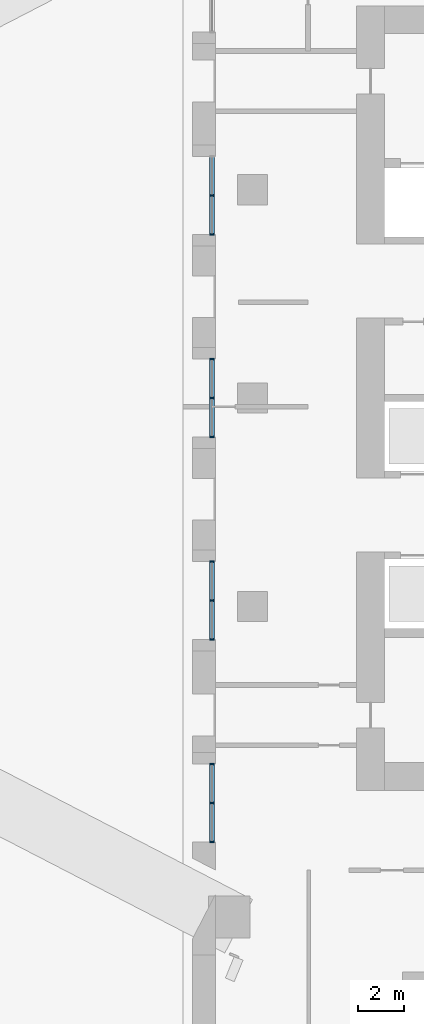
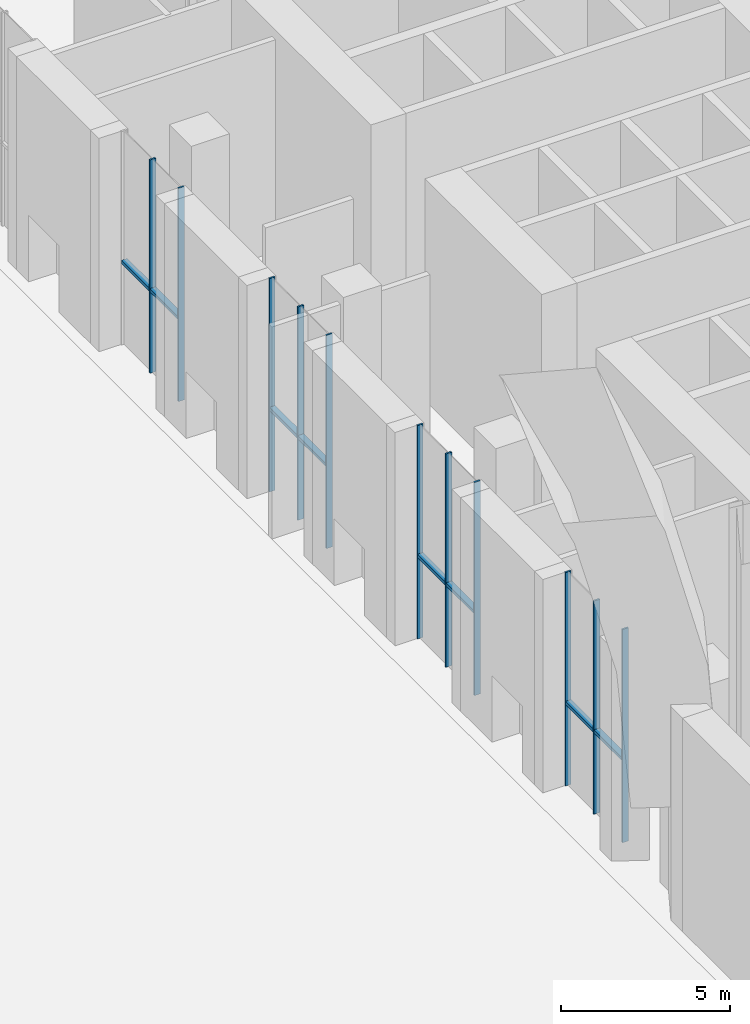
# One storey, part 4 of 22: 19 members, 4 elements without a shape of their own.
"""IFC4 building model written with IfcOpenShell, lengths in metres."""

from ifc_helpers import new_model, si_unit, direction, frame, origin, origin_2d, place, context, subcontext, project, spatial, rectangle, extrude, material, layer, layer_set, material_profile, profile_set, type_object, element, aggregate, save


model = new_model("IFC4")

# Units and contexts
model_context = context("Model", 3, precision=1e-05, world=origin(), true_north=direction((0.0, 1.0)))
body_context = subcontext(model_context, "Body", "Model", "MODEL_VIEW")
ifc_project = project(units=[si_unit("LENGTHUNIT", "METRE"), si_unit("AREAUNIT", "SQUARE_METRE"), si_unit("VOLUMEUNIT", "CUBIC_METRE"), si_unit("PLANEANGLEUNIT", "RADIAN"), si_unit("MASSUNIT", "GRAM", prefix="KILO")], contexts=[model_context])

# Site, building, storey
site_placement = place(None, origin())
site = spatial("IfcSite", under=ifc_project, at=site_placement, CompositionType="ELEMENT")
building_placement = place(site_placement, origin())
building = spatial("IfcBuilding", under=site, at=building_placement, Name="Ostrand Prow Hotel Tower", CompositionType="ELEMENT")
storey_placement = place(building_placement, origin())
storey = spatial("IfcBuildingStorey", under=building, at=storey_placement, Name="L00", CompositionType="ELEMENT", Elevation=0.0)

# Curtain wall, members
ifc_material_1 = material(Name="Insulated glass in bronze anodised frame", Category="glass")
ifc_layer = layer(ifc_material_1, 0.199951171875)
ifc_layer_set = layer_set([ifc_layer], Name="Insulated glass in bronze anodised frame")
curtain_wall_type = type_object("IfcCurtainWallType", Name="Podium storefront curtain wall, clear glass in bronze frame", PredefinedType="NOTDEFINED", material=ifc_layer_set)
curtain_wall_1_placement = place(storey_placement, origin())
curtain_wall_1 = element("IfcCurtainWall", 1, at=curtain_wall_1_placement, inside=storey, type_object=curtain_wall_type, Name="CW8 run CWS", PredefinedType="NOTDEFINED")
ifc_material_2 = material(Name="Bronze anodised aluminium", Category="aluminium")
ifc_material_profile_1 = material_profile(ifc_material_2, rectangle(XDim=0.199951171875, YDim=0.06005859375, at=origin_2d()), Name="Mullion 60x200 bronze anodised aluminium")
ifc_profile_set_1 = profile_set([ifc_material_profile_1], Name="Bronze anodised aluminium")
member_type_1 = type_object("IfcMemberType", Name="Mullion 60x200 bronze anodised aluminium", PredefinedType="MULLION", material=ifc_profile_set_1)
member_1_placement = place(storey_placement, frame((43.25, 8.752197265625, 0.0), z_axis=(0.0, 0.0, 1.0), x_axis=(1.0, 0.0, 0.0)))
member_1 = element("IfcMember", 2, at=member_1_placement, type_object=member_type_1, Name="CW8 mullion 2", PredefinedType="MULLION", context=body_context, shape_type="SweptSolid", body=[
    extrude(rectangle(XDim=0.199951171875, YDim=0.06005859375, at=origin_2d()), origin(), (0.0, 0.0, 1.0), 7.699951171875),
])
member_2_placement = place(storey_placement, frame((43.25, 7.064208984375, 0.0), z_axis=(0.0, 0.0, 1.0), x_axis=(1.0, 0.0, 0.0)))
member_2 = element("IfcMember", 3, at=member_2_placement, type_object=member_type_1, Name="CW8 mullion 3", PredefinedType="MULLION", context=body_context, shape_type="SweptSolid", body=[
    extrude(rectangle(XDim=0.199951171875, YDim=0.06005859375, at=origin_2d()), origin(), (0.0, 0.0, 1.0), 7.699951171875),
])

curtain_wall_2_placement = place(storey_placement, origin())
curtain_wall_2 = element("IfcCurtainWall", 4, at=curtain_wall_2_placement, inside=storey, type_object=curtain_wall_type, Name="CW8 run CWS", PredefinedType="NOTDEFINED")
member_3_placement = place(storey_placement, frame((43.25, 1.68798828125, 0.0), z_axis=(0.0, 0.0, 1.0), x_axis=(1.0, 0.0, 0.0)))
member_3 = element("IfcMember", 5, at=member_3_placement, type_object=member_type_1, Name="CW8 mullion 1", PredefinedType="MULLION", context=body_context, shape_type="SweptSolid", body=[
    extrude(rectangle(XDim=0.199951171875, YDim=0.06005859375, at=origin_2d()), origin(), (0.0, 0.0, 1.0), 7.699951171875),
])
member_4_placement = place(storey_placement, frame((43.25, 0.0, 0.0), z_axis=(0.0, 0.0, 1.0), x_axis=(1.0, 0.0, 0.0)))
member_4 = element("IfcMember", 6, at=member_4_placement, type_object=member_type_1, Name="CW8 mullion 2", PredefinedType="MULLION", context=body_context, shape_type="SweptSolid", body=[
    extrude(rectangle(XDim=0.199951171875, YDim=0.06005859375, at=origin_2d()), origin(), (0.0, 0.0, 1.0), 7.699951171875),
])
member_5_placement = place(storey_placement, frame((43.25, -1.68798828125, 0.0), z_axis=(0.0, 0.0, 1.0), x_axis=(1.0, 0.0, 0.0)))
member_5 = element("IfcMember", 7, at=member_5_placement, type_object=member_type_1, Name="CW8 mullion 3", PredefinedType="MULLION", context=body_context, shape_type="SweptSolid", body=[
    extrude(rectangle(XDim=0.199951171875, YDim=0.06005859375, at=origin_2d()), origin(), (0.0, 0.0, 1.0), 7.699951171875),
])

curtain_wall_3_placement = place(storey_placement, origin())
curtain_wall_3 = element("IfcCurtainWall", 8, at=curtain_wall_3_placement, inside=storey, type_object=curtain_wall_type, Name="CW8 run CWS", PredefinedType="NOTDEFINED")
member_6_placement = place(storey_placement, frame((43.25, -7.064208984375, 0.0), z_axis=(0.0, 0.0, 1.0), x_axis=(1.0, 0.0, 0.0)))
member_6 = element("IfcMember", 9, at=member_6_placement, type_object=member_type_1, Name="CW8 mullion 1", PredefinedType="MULLION", context=body_context, shape_type="SweptSolid", body=[
    extrude(rectangle(XDim=0.199951171875, YDim=0.06005859375, at=origin_2d()), origin(), (0.0, 0.0, 1.0), 7.699951171875),
])
member_7_placement = place(storey_placement, frame((43.25, -8.752197265625, 0.0), z_axis=(0.0, 0.0, 1.0), x_axis=(1.0, 0.0, 0.0)))
member_7 = element("IfcMember", 10, at=member_7_placement, type_object=member_type_1, Name="CW8 mullion 2", PredefinedType="MULLION", context=body_context, shape_type="SweptSolid", body=[
    extrude(rectangle(XDim=0.199951171875, YDim=0.06005859375, at=origin_2d()), origin(), (0.0, 0.0, 1.0), 7.699951171875),
])
member_8_placement = place(storey_placement, frame((43.25, -10.440185546875, 0.0), z_axis=(0.0, 0.0, 1.0), x_axis=(1.0, 0.0, 0.0)))
member_8 = element("IfcMember", 11, at=member_8_placement, type_object=member_type_1, Name="CW8 mullion 3", PredefinedType="MULLION", context=body_context, shape_type="SweptSolid", body=[
    extrude(rectangle(XDim=0.199951171875, YDim=0.06005859375, at=origin_2d()), origin(), (0.0, 0.0, 1.0), 7.699951171875),
])

curtain_wall_4_placement = place(storey_placement, origin())
curtain_wall_4 = element("IfcCurtainWall", 12, at=curtain_wall_4_placement, inside=storey, type_object=curtain_wall_type, Name="CW8 run CWS", PredefinedType="NOTDEFINED")
member_9_placement = place(storey_placement, frame((43.25, -15.81640625, 0.0), z_axis=(0.0, 0.0, 1.0), x_axis=(1.0, 0.0, 0.0)))
member_9 = element("IfcMember", 13, at=member_9_placement, type_object=member_type_1, Name="CW8 mullion 1", PredefinedType="MULLION", context=body_context, shape_type="SweptSolid", body=[
    extrude(rectangle(XDim=0.199951171875, YDim=0.06005859375, at=origin_2d()), origin(), (0.0, 0.0, 1.0), 7.699951171875),
])
member_10_placement = place(storey_placement, frame((43.25, -17.50439453125, 0.0), z_axis=(0.0, 0.0, 1.0), x_axis=(1.0, 0.0, 0.0)))
member_10 = element("IfcMember", 14, at=member_10_placement, type_object=member_type_1, Name="CW8 mullion 2", PredefinedType="MULLION", context=body_context, shape_type="SweptSolid", body=[
    extrude(rectangle(XDim=0.199951171875, YDim=0.06005859375, at=origin_2d()), origin(), (0.0, 0.0, 1.0), 7.699951171875),
])
member_11_placement = place(storey_placement, frame((43.25, -19.192626953125, 0.0), z_axis=(0.0, 0.0, 1.0), x_axis=(1.0, 0.0, 0.0)))
member_11 = element("IfcMember", 15, at=member_11_placement, type_object=member_type_1, Name="CW8 mullion 3", PredefinedType="MULLION", context=body_context, shape_type="SweptSolid", body=[
    extrude(rectangle(XDim=0.199951171875, YDim=0.06005859375, at=origin_2d()), origin(), (0.0, 0.0, 1.0), 7.699951171875),
])

# Member
ifc_material_3 = material(Name="Bronze anodised aluminium", Category="aluminium")
ifc_material_profile_2 = material_profile(ifc_material_3, rectangle(XDim=0.199951171875, YDim=0.1201171875, at=origin_2d()), Name="Transom 120x200 bronze anodised aluminium")
ifc_profile_set_2 = profile_set([ifc_material_profile_2], Name="Bronze anodised aluminium")
member_type_2 = type_object("IfcMemberType", Name="Transom 120x200 bronze anodised aluminium", PredefinedType="USERDEFINED", material=ifc_profile_set_2)
member_12_placement = place(storey_placement, frame((43.25, 10.410400390625, 3.0), z_axis=(0.0, -1.0, 0.0), x_axis=(1.0, 0.0, 0.0)))
member_12 = element("IfcMember", 16, at=member_12_placement, type_object=member_type_2, Name="CW8 transom 1.1", ObjectType="TRANSOM", PredefinedType="USERDEFINED", context=body_context, shape_type="SweptSolid", body=[
    extrude(rectangle(XDim=0.199951171875, YDim=0.1201171875, at=origin_2d()), origin(), (0.0, 0.0, 1.0), 1.628173828125),
])

member_13_placement = place(storey_placement, frame((43.25, 8.722412109375, 3.0), z_axis=(0.0, -1.0, 0.0), x_axis=(1.0, 0.0, 0.0)))
member_13 = element("IfcMember", 17, at=member_13_placement, type_object=member_type_2, Name="CW8 transom 2.1", ObjectType="TRANSOM", PredefinedType="USERDEFINED", context=body_context, shape_type="SweptSolid", body=[
    extrude(rectangle(XDim=0.199951171875, YDim=0.1201171875, at=origin_2d()), origin(), (0.0, 0.0, 1.0), 1.628173828125),
])

aggregate(curtain_wall_1, [member_1, member_2, member_12, member_13])

member_14_placement = place(storey_placement, frame((43.25, 1.658203125, 3.0), z_axis=(0.0, -1.0, 0.0), x_axis=(1.0, 0.0, 0.0)))
member_14 = element("IfcMember", 18, at=member_14_placement, type_object=member_type_2, Name="CW8 transom 1.1", ObjectType="TRANSOM", PredefinedType="USERDEFINED", context=body_context, shape_type="SweptSolid", body=[
    extrude(rectangle(XDim=0.199951171875, YDim=0.1201171875, at=origin_2d()), origin(), (0.0, 0.0, 1.0), 1.628173828125),
])

member_15_placement = place(storey_placement, frame((43.25, -0.030029296875, 3.0), z_axis=(0.0, -1.0, 0.0), x_axis=(1.0, 0.0, 0.0)))
member_15 = element("IfcMember", 19, at=member_15_placement, type_object=member_type_2, Name="CW8 transom 2.1", ObjectType="TRANSOM", PredefinedType="USERDEFINED", context=body_context, shape_type="SweptSolid", body=[
    extrude(rectangle(XDim=0.199951171875, YDim=0.1201171875, at=origin_2d()), origin(), (0.0, 0.0, 1.0), 1.628173828125),
])

aggregate(curtain_wall_2, [member_3, member_4, member_5, member_14, member_15])

member_16_placement = place(storey_placement, frame((43.25, -7.09423828125, 3.0), z_axis=(0.0, -1.0, 0.0), x_axis=(1.0, 0.0, 0.0)))
member_16 = element("IfcMember", 20, at=member_16_placement, type_object=member_type_2, Name="CW8 transom 1.1", ObjectType="TRANSOM", PredefinedType="USERDEFINED", context=body_context, shape_type="SweptSolid", body=[
    extrude(rectangle(XDim=0.199951171875, YDim=0.1201171875, at=origin_2d()), origin(), (0.0, 0.0, 1.0), 1.628173828125),
])

member_17_placement = place(storey_placement, frame((43.25, -8.7822265625, 3.0), z_axis=(0.0, -1.0, 0.0), x_axis=(1.0, 0.0, 0.0)))
member_17 = element("IfcMember", 21, at=member_17_placement, type_object=member_type_2, Name="CW8 transom 2.1", ObjectType="TRANSOM", PredefinedType="USERDEFINED", context=body_context, shape_type="SweptSolid", body=[
    extrude(rectangle(XDim=0.199951171875, YDim=0.1201171875, at=origin_2d()), origin(), (0.0, 0.0, 1.0), 1.628173828125),
])

aggregate(curtain_wall_3, [member_6, member_7, member_8, member_16, member_17])

member_18_placement = place(storey_placement, frame((43.25, -15.846435546875, 3.0), z_axis=(0.0, -1.0, 0.0), x_axis=(1.0, 0.0, 0.0)))
member_18 = element("IfcMember", 22, at=member_18_placement, type_object=member_type_2, Name="CW8 transom 1.1", ObjectType="TRANSOM", PredefinedType="USERDEFINED", context=body_context, shape_type="SweptSolid", body=[
    extrude(rectangle(XDim=0.199951171875, YDim=0.1201171875, at=origin_2d()), origin(), (0.0, 0.0, 1.0), 1.628173828125),
])

member_19_placement = place(storey_placement, frame((43.25, -17.534423828125, 3.0), z_axis=(0.0, -1.0, 0.0), x_axis=(1.0, 0.0, 0.0)))
member_19 = element("IfcMember", 23, at=member_19_placement, type_object=member_type_2, Name="CW8 transom 2.1", ObjectType="TRANSOM", PredefinedType="USERDEFINED", context=body_context, shape_type="SweptSolid", body=[
    extrude(rectangle(XDim=0.199951171875, YDim=0.1201171875, at=origin_2d()), origin(), (0.0, 0.0, 1.0), 1.628173828125),
])

aggregate(curtain_wall_4, [member_9, member_10, member_11, member_18, member_19])

save(model, "model.ifc")
